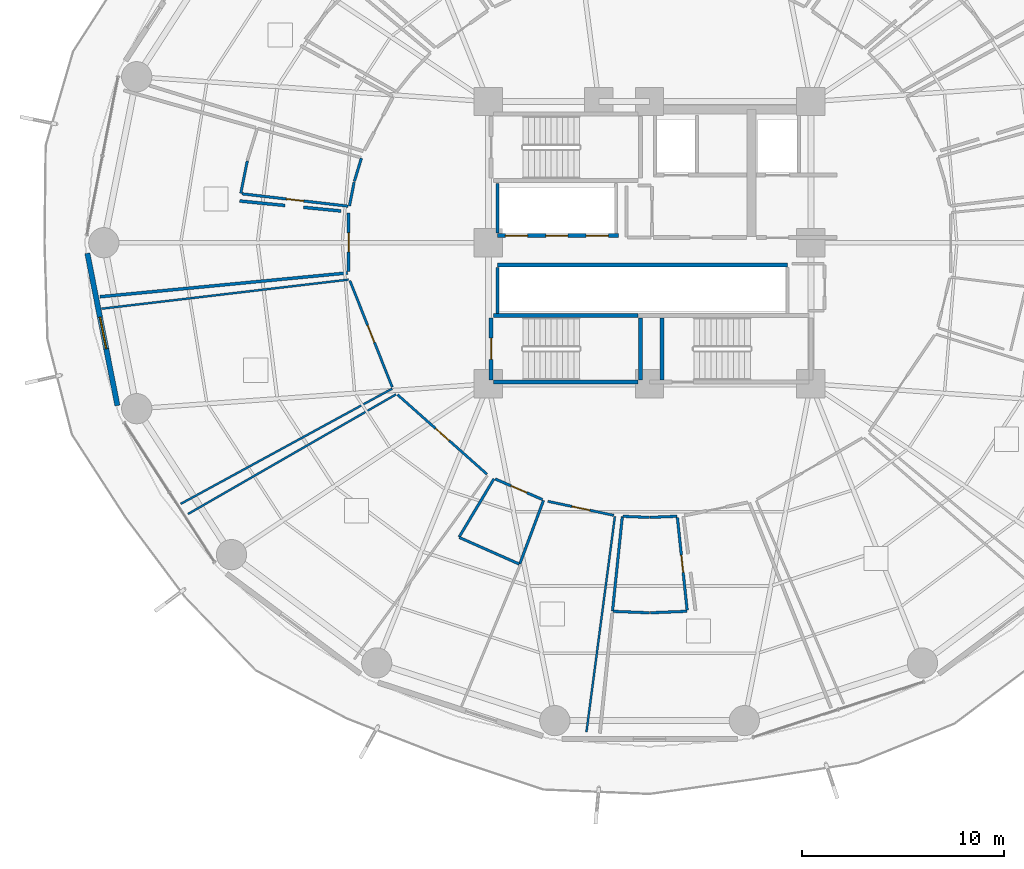
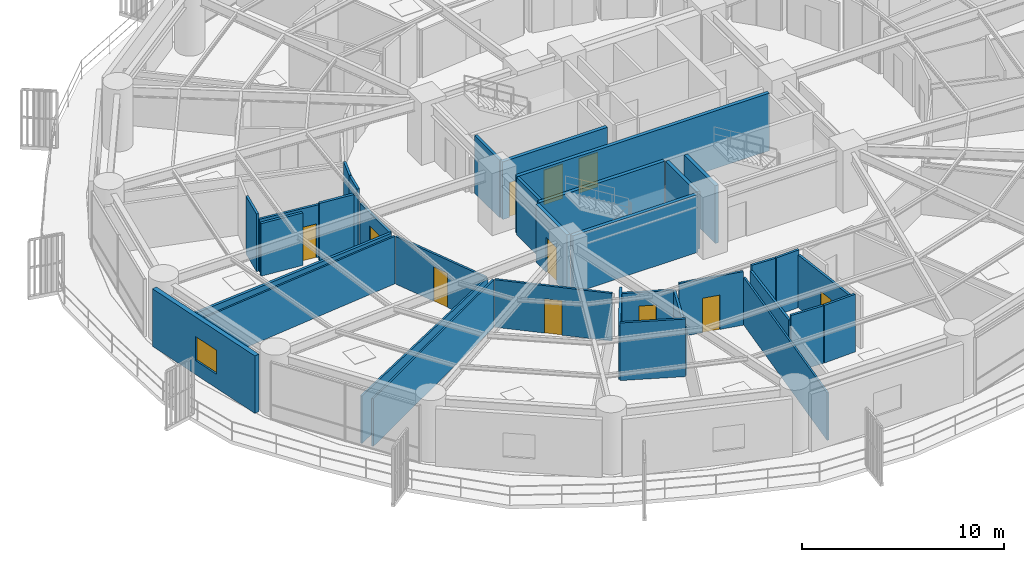
# One storey, part 22 of 32: 35 walls, 11 doors, 1 window, 12 openings.
"""IFC4 building model written with IfcOpenShell, lengths in metres."""

from ifc_helpers import new_model, si_unit, direction, frame, frame_2d, origin, place, context, subcontext, project, spatial, rectangle, extrude, material, layer, layer_set, type_object, element, fill, save


model = new_model("IFC4")

# Units and contexts
model_context = context("Model", 3, precision=1e-05, world=origin(), true_north=direction((0.0, 1.0)))
body_context = subcontext(model_context, "Body", "Model", "MODEL_VIEW")
ifc_project = project(units=[si_unit("LENGTHUNIT", "METRE"), si_unit("AREAUNIT", "SQUARE_METRE"), si_unit("VOLUMEUNIT", "CUBIC_METRE"), si_unit("PLANEANGLEUNIT", "RADIAN"), si_unit("MASSUNIT", "GRAM", prefix="KILO")], contexts=[model_context])

# Site, building, storey
site_placement = place(None, origin())
site = spatial("IfcSite", under=ifc_project, at=site_placement, CompositionType="ELEMENT")
building_placement = place(site_placement, origin())
building = spatial("IfcBuilding", under=site, at=building_placement, Name="Kelanora Arch Commons", CompositionType="ELEMENT")
storey_placement = place(building_placement, frame((0.0, 0.0, 48.75)))
storey = spatial("IfcBuildingStorey", under=building, at=storey_placement, Name="L12", CompositionType="ELEMENT", Elevation=48.75)

# Walls
ifc_material_1 = material(Name="Autoclaved aerated concrete blockwork with fire plaster", Category="masonry")
ifc_layer_1 = layer(ifc_material_1, 0.14990234375)
ifc_layer_set_1 = layer_set([ifc_layer_1], Name="Autoclaved aerated concrete blockwork with fire plaster")
wall_type_1 = type_object("IfcWallType", Name="W-COMP-150", PredefinedType="PARTITIONING", material=ifc_layer_set_1)
wall_1_placement = place(storey_placement, frame((66.4599609375, 58.47998046875, 0.0), z_axis=(0.0, 0.0, 1.0), x_axis=(0.0, 1.0, 0.0)))
element("IfcWall", 1, at=wall_1_placement, inside=storey, type_object=wall_type_1, Name="Low-Rise Lift Bank West Wall L12", PredefinedType="PARTITIONING", context=body_context, shape_type="SweptSolid", body=[
    extrude(rectangle(XDim=2.4599609375, YDim=0.14990234375, at=frame_2d((1.22998046875, 0.0))), origin(), (0.0, 0.0, 1.0), 3.47998046875),
])
wall_2_placement = place(storey_placement, frame((66.4599609375, 54.47998046875, 0.0), z_axis=(0.0, 0.0, 1.0), x_axis=(0.0, 1.0, 0.0)))
element("IfcWall", 2, at=wall_2_placement, inside=storey, type_object=wall_type_1, Name="South Lift Bank West Wall L12", PredefinedType="PARTITIONING", context=body_context, shape_type="SweptSolid", body=[
    extrude(rectangle(XDim=2.2900390625, YDim=0.14990234375, at=frame_2d((1.14501953125, 0.0))), origin(), (0.0, 0.0, 1.0), 3.47998046875),
])

# Wall, opening, door
wall_3_placement = place(storey_placement, frame((59.06591796875, 59.47509765625, 0.0), z_axis=(0.0, 0.0, 1.0), x_axis=(-0.001677287141, -0.999998593353, 0.0)))
wall_3 = element("IfcWall", 3, at=wall_3_placement, inside=storey, type_object=wall_type_1, Name="Co-Living Studio L12-07 Entry Partition", PredefinedType="PARTITIONING", context=body_context, shape_type="SweptSolid", body=[
    extrude(rectangle(XDim=2.9111328125, YDim=0.14990234375, at=frame_2d((1.45556640625, 0.0))), origin(), (0.0, 0.0, 1.0), 2.875),
])
opening_1_placement = place(wall_3_placement, frame((0.98095703125, 0.0, 0.0)))
opening_1 = element("IfcOpeningElement", 4, at=opening_1_placement, cuts=wall_3, Name="Opening D-CLU1", PredefinedType="OPENING", context=body_context, shape_type="SweptSolid", body=[
    extrude(rectangle(XDim=0.949951171875, YDim=2.080078125, at=frame_2d((0.47509765625, 1.0400390625))), frame((0.0, 0.0849609375, 0.0), z_axis=(0.0, -1.0, 0.0), x_axis=(1.0, 0.0, 0.0)), (0.0, 0.0, 1.0), 0.169921875),
])
ifc_material_2 = material(Name="Solid-core acoustic timber cluster entry fire door", Category="wood")
door_type_1 = type_object("IfcDoorType", Name="D-CLU-95", OperationType="NOTDEFINED", PredefinedType="DOOR", material=ifc_material_2)
door_1_placement = place(opening_1_placement, origin())
door_1 = element("IfcDoor", 5, at=door_1_placement, inside=storey, type_object=door_type_1, Name="Co-Living Studio L12-07 Door", OperationType="SINGLE_SWING_RIGHT", OverallHeight=2.080078125, OverallWidth=0.949951171875, PredefinedType="DOOR", context=body_context, shape_type="SweptSolid", body=[
    extrude(rectangle(XDim=0.949951171875, YDim=2.080078125, at=frame_2d((0.47509765625, 1.0400390625))), frame((0.0, 0.02490234375, 0.0), z_axis=(0.0, -1.0, 0.0), x_axis=(1.0, 0.0, 0.0)), (0.0, 0.0, 1.0), 0.050048828125),
])
fill(opening_1, door_1)

# Walls
wall_4_placement = place(storey_placement, frame((59.021240234375, 56.500244140625, 0.0), z_axis=(0.0, 0.0, 1.0), x_axis=(-0.995408087514, -0.095722198638, 0.0)))
element("IfcWall", 6, at=wall_4_placement, inside=storey, type_object=wall_type_1, Name="Co-Living Studio L12-07 Enclosure Partition 2", PredefinedType="PARTITIONING", context=body_context, shape_type="SweptSolid", body=[
    extrude(rectangle(XDim=12.35205078125, YDim=0.14990234375, at=frame_2d((6.176025390625, 0.0))), origin(), (0.0, 0.0, 1.0), 2.875),
])
wall_5_placement = place(storey_placement, frame((53.661865234375, 60.069091796875, 0.0), z_axis=(0.0, 0.0, 1.0), x_axis=(0.995156134458, -0.098307009162, 0.0)))
element("IfcWall", 7, at=wall_5_placement, inside=storey, type_object=wall_type_1, Name="Co-Living Studio L12-07 Enclosure Partition 7", PredefinedType="PARTITIONING", context=body_context, shape_type="SweptSolid", body=[
    extrude(rectangle(XDim=2.262451171875, YDim=0.14990234375, at=frame_2d((1.13134765625, 0.0))), origin(), (0.0, 0.0, 1.0), 3.175048828125),
])
wall_6_placement = place(storey_placement, frame((56.828857421875, 59.756103515625, 0.0), z_axis=(0.0, 0.0, 1.0), x_axis=(0.995148801126, -0.098381215772, 0.0)))
element("IfcWall", 8, at=wall_6_placement, inside=storey, type_object=wall_type_1, Name="Co-Living Studio L12-07 Enclosure Partition 7", PredefinedType="PARTITIONING", context=body_context, shape_type="SweptSolid", body=[
    extrude(rectangle(XDim=1.87353515625, YDim=0.14990234375, at=frame_2d((0.936767578125, 0.0))), origin(), (0.0, 0.0, 1.0), 3.47998046875),
])

# Wall, opening, window
ifc_material_3 = material(Name="Precast concrete C40/50 with terracotta rainscreen", Category="masonry")
ifc_layer_2 = layer(ifc_material_3, 0.260009765625)
ifc_layer_set_2 = layer_set([ifc_layer_2], Name="Precast concrete C40/50 with terracotta rainscreen")
wall_type_2 = type_object("IfcWallType", Name="W-EXT-TC", PredefinedType="SOLIDWALL", material=ifc_layer_set_2)
wall_7_placement = place(storey_placement, frame((46.103515625, 57.4765625, 0.0), z_axis=(0.0, 0.0, 1.0), x_axis=(0.193726159581, -0.98105564322, 0.0)))
wall_7 = element("IfcWall", 9, at=wall_7_placement, inside=storey, type_object=wall_type_2, Name="Terracotta Exterior Wall L12-B09", PredefinedType="SOLIDWALL", context=body_context, shape_type="SweptSolid", body=[
    extrude(rectangle(XDim=7.70263671875, YDim=0.260009765625, at=frame_2d((3.851318359375, 0.0))), origin(), (0.0, 0.0, 1.0), 3.47509765625),
])
opening_2_placement = place(wall_7_placement, frame((3.23095703125, 0.0, 0.85009765625)))
opening_2 = element("IfcOpeningElement", 10, at=opening_2_placement, cuts=wall_7, Name="Opening WN-01", PredefinedType="OPENING", context=body_context, shape_type="SweptSolid", body=[
    extrude(rectangle(XDim=1.60009765625, YDim=1.449951171875, at=frame_2d((0.800048828125, 0.72509765625))), frame((0.0, 0.14013671875, 0.0), z_axis=(0.0, -1.0, 0.0), x_axis=(1.0, 0.0, 0.0)), (0.0, 0.0, 1.0), 0.280029296875),
])
ifc_material_4 = material(Name="Terracotta-anodised aluminium frame with operable low-E glazing", Category="masonry")
window_type = type_object("IfcWindowType", Name="WIN-CL-18", PartitioningType="DOUBLE_PANEL_VERTICAL", PredefinedType="WINDOW", material=ifc_material_4)
window_placement = place(opening_2_placement, origin())
window = element("IfcWindow", 11, at=window_placement, inside=storey, type_object=window_type, Name="Co-Living Operable Window L12-B09", OverallHeight=1.449951171875, OverallWidth=1.60009765625, PartitioningType="SINGLE_PANEL", PredefinedType="WINDOW", context=body_context, shape_type="SweptSolid", body=[
    extrude(rectangle(XDim=1.60009765625, YDim=1.449951171875, at=frame_2d((0.800048828125, 0.72509765625))), frame((0.0, 0.030029296875, 0.0), z_axis=(0.0, -1.0, 0.0), x_axis=(1.0, 0.0, 0.0)), (0.0, 0.0, 1.0), 0.06005859375),
])
fill(opening_2, window)

# Wall, openings, doors
ifc_material_5 = material(Name="Concrete C40/50", Category="concrete")
ifc_layer_3 = layer(ifc_material_5, 0.199951171875)
ifc_layer_set_3 = layer_set([ifc_layer_3], Name="Concrete C40/50")
wall_type_3 = type_object("IfcWallType", Name="W-FFL-200", PredefinedType="SOLIDWALL", material=ifc_layer_set_3)
wall_8_placement = place(storey_placement, frame((66.449951171875, 58.35009765625, 0.0), z_axis=(0.0, 0.0, 1.0), x_axis=(1.0, 0.0, 0.0)))
wall_8 = element("IfcWall", 12, at=wall_8_placement, inside=storey, type_object=wall_type_3, Name="Low-Rise Passenger Lift Shaft Front L12", PredefinedType="SOLIDWALL", context=body_context, shape_type="SweptSolid", body=[
    extrude(rectangle(XDim=6.0, YDim=0.199951171875, at=frame_2d((3.0, 0.0))), origin(), (0.0, 0.0, 1.0), 3.47998046875),
])
opening_3_placement = place(wall_8_placement, frame((0.39990234375, 0.0, 0.0)))
opening_3 = element("IfcOpeningElement", 13, at=opening_3_placement, cuts=wall_8, Name="Opening LD-01", PredefinedType="OPENING", context=body_context, shape_type="SweptSolid", body=[
    extrude(rectangle(XDim=1.10009765625, YDim=2.10009765625, at=frame_2d((0.550048828125, 1.050048828125))), frame((0.0, 0.10986328125, 0.0), z_axis=(0.0, -1.0, 0.0), x_axis=(1.0, 0.0, 0.0)), (0.0, 0.0, 1.0), 0.219970703125),
])
opening_4_placement = place(wall_8_placement, frame((2.39990234375, 0.0, 0.0)))
opening_4 = element("IfcOpeningElement", 14, at=opening_4_placement, cuts=wall_8, Name="Opening LD-01", PredefinedType="OPENING", context=body_context, shape_type="SweptSolid", body=[
    extrude(rectangle(XDim=1.10009765625, YDim=2.10009765625, at=frame_2d((0.550048828125, 1.050048828125))), frame((0.0, 0.10986328125, 0.0), z_axis=(0.0, -1.0, 0.0), x_axis=(1.0, 0.0, 0.0)), (0.0, 0.0, 1.0), 0.219970703125),
])
opening_5_placement = place(wall_8_placement, frame((4.39990234375, 0.0, 0.0)))
opening_5 = element("IfcOpeningElement", 15, at=opening_5_placement, cuts=wall_8, Name="Opening LD-01", PredefinedType="OPENING", context=body_context, shape_type="SweptSolid", body=[
    extrude(rectangle(XDim=1.10009765625, YDim=2.10009765625, at=frame_2d((0.550048828125, 1.050048828125))), frame((0.0, 0.10986328125, 0.0), z_axis=(0.0, -1.0, 0.0), x_axis=(1.0, 0.0, 0.0)), (0.0, 0.0, 1.0), 0.219970703125),
])
ifc_material_6 = material(Name="Stainless steel passenger lift sliding landing door", Category="steel")
door_type_2 = type_object("IfcDoorType", Name="D-LIFT-110", OperationType="NOTDEFINED", PredefinedType="DOOR", material=ifc_material_6)
door_2_placement = place(opening_3_placement, origin())
door_2 = element("IfcDoor", 16, at=door_2_placement, inside=storey, type_object=door_type_2, Name="Passenger Lift LF-P1 Landing Door L12", OperationType="DOUBLE_DOOR_SLIDING", OverallHeight=2.10009765625, OverallWidth=1.10009765625, PredefinedType="DOOR", context=body_context, shape_type="SweptSolid", body=[
    extrude(rectangle(XDim=1.10009765625, YDim=2.10009765625, at=frame_2d((0.550048828125, 1.050048828125))), frame((0.0, 0.02490234375, 0.0), z_axis=(0.0, -1.0, 0.0), x_axis=(1.0, 0.0, 0.0)), (0.0, 0.0, 1.0), 0.050048828125),
])
fill(opening_3, door_2)
door_3_placement = place(opening_4_placement, origin())
door_3 = element("IfcDoor", 17, at=door_3_placement, inside=storey, type_object=door_type_2, Name="Passenger Lift LF-P2 Landing Door L12", OperationType="DOUBLE_DOOR_SLIDING", OverallHeight=2.10009765625, OverallWidth=1.10009765625, PredefinedType="DOOR", context=body_context, shape_type="SweptSolid", body=[
    extrude(rectangle(XDim=1.10009765625, YDim=2.10009765625, at=frame_2d((0.550048828125, 1.050048828125))), frame((0.0, 0.02490234375, 0.0), z_axis=(0.0, -1.0, 0.0), x_axis=(1.0, 0.0, 0.0)), (0.0, 0.0, 1.0), 0.050048828125),
])
fill(opening_4, door_3)
door_4_placement = place(opening_5_placement, origin())
door_4 = element("IfcDoor", 18, at=door_4_placement, inside=storey, type_object=door_type_2, Name="Passenger Lift LF-P3 Landing Door L12", OperationType="DOUBLE_DOOR_SLIDING", OverallHeight=2.10009765625, OverallWidth=1.10009765625, PredefinedType="DOOR", context=body_context, shape_type="SweptSolid", body=[
    extrude(rectangle(XDim=1.10009765625, YDim=2.10009765625, at=frame_2d((0.550048828125, 1.050048828125))), frame((0.0, 0.02490234375, 0.0), z_axis=(0.0, -1.0, 0.0), x_axis=(1.0, 0.0, 0.0)), (0.0, 0.0, 1.0), 0.050048828125),
])
fill(opening_5, door_4)

# Walls
wall_9_placement = place(storey_placement, frame((66.449951171875, 56.89990234375, 0.0), z_axis=(0.0, 0.0, 1.0), x_axis=(1.0, 0.0, 0.0)))
element("IfcWall", 19, at=wall_9_placement, inside=storey, type_object=wall_type_3, Name="Mid/High/Express Lift Shaft Front L12", PredefinedType="SOLIDWALL", context=body_context, shape_type="SweptSolid", body=[
    extrude(rectangle(XDim=14.400146484375, YDim=0.199951171875, at=frame_2d((7.2001953125, 0.0))), origin(), (0.0, 0.0, 1.0), 3.47998046875),
])
ifc_material_7 = material(Name="Lightweight fire-rated acoustic stud partition")
ifc_layer_4 = layer(ifc_material_7, 0.10009765625)
ifc_layer_set_4 = layer_set([ifc_layer_4], Name="Lightweight fire-rated acoustic stud partition")
wall_type_4 = type_object("IfcWallType", Name="W-PART-100", PredefinedType="PARTITIONING", material=ifc_layer_set_4)
wall_10_placement = place(storey_placement, frame((61.220947265625, 50.7548828125, 0.0), z_axis=(0.0, 0.0, 1.0), x_axis=(-0.878114235828, -0.478451030761, 0.0)))
element("IfcWall", 20, at=wall_10_placement, inside=storey, type_object=wall_type_4, Name="Quiet Seminar Study Room L12-08 Enclosure Partition 2", PredefinedType="PARTITIONING", context=body_context, shape_type="SweptSolid", body=[
    extrude(rectangle(XDim=11.9423828125, YDim=0.10009765625, at=frame_2d((5.97119140625, 0.0))), origin(), (0.0, 0.0, 1.0), 2.875),
])
wall_11_placement = place(storey_placement, frame((46.8076171875, 54.724609375, 0.0), z_axis=(0.0, 0.0, 1.0), x_axis=(0.993128309916, 0.117030594475, 0.0)))
element("IfcWall", 21, at=wall_11_placement, inside=storey, type_object=wall_type_4, Name="Quiet Seminar Study Room L12-08 Enclosure Partition 4", PredefinedType="PARTITIONING", context=body_context, shape_type="SweptSolid", body=[
    extrude(rectangle(XDim=12.343505859375, YDim=0.10009765625, at=frame_2d((6.171875, 0.0))), origin(), (0.0, 0.0, 1.0), 2.875),
])
wall_12_placement = place(storey_placement, frame((51.0966796875, 44.538818359375, 0.0), z_axis=(0.0, 0.0, 1.0), x_axis=(0.866911397605, 0.498462264071, 0.0)))
element("IfcWall", 22, at=wall_12_placement, inside=storey, type_object=wall_type_4, Name="Social Sky Lounge L12-09 Enclosure Partition 4", PredefinedType="PARTITIONING", context=body_context, shape_type="SweptSolid", body=[
    extrude(rectangle(XDim=11.9072265625, YDim=0.10009765625, at=frame_2d((5.95361328125, 0.0))), origin(), (0.0, 0.0, 1.0), 2.875),
])
wall_13_placement = place(storey_placement, frame((72.27880859375, 44.419189453125, 0.0), z_axis=(0.0, 0.0, 1.0), x_axis=(-0.130800348515, -0.991408729449, 0.0)))
element("IfcWall", 23, at=wall_13_placement, inside=storey, type_object=wall_type_4, Name="Tutorial Study Alcove L12-10 Enclosure Partition 2", PredefinedType="PARTITIONING", context=body_context, shape_type="SweptSolid", body=[
    extrude(rectangle(XDim=10.792236328125, YDim=0.10009765625, at=frame_2d((5.39599609375, 0.0))), origin(), (0.0, 0.0, 1.0), 2.875),
])

# Wall, opening, door
ifc_material_8 = material(Name="Acoustic twin-stud fire-rated gypsum partition")
ifc_layer_5 = layer(ifc_material_8, 0.1201171875)
ifc_layer_set_5 = layer_set([ifc_layer_5], Name="Acoustic twin-stud fire-rated gypsum partition")
wall_type_5 = type_object("IfcWallType", Name="W-PART-120", PredefinedType="PARTITIONING", material=ifc_layer_set_5)
wall_14_placement = place(storey_placement, frame((59.128173828125, 56.118408203125, 0.0), z_axis=(0.0, 0.0, 1.0), x_axis=(0.369903929858, -0.929070009566, 0.0)))
wall_14 = element("IfcWall", 24, at=wall_14_placement, inside=storey, type_object=wall_type_5, Name="Quiet Seminar Study Room L12-08 Entry Partition", PredefinedType="PARTITIONING", context=body_context, shape_type="SweptSolid", body=[
    extrude(rectangle(XDim=5.692626953125, YDim=0.1201171875, at=frame_2d((2.84619140625, 0.0))), origin(), (0.0, 0.0, 1.0), 2.875),
])
opening_6_placement = place(wall_14_placement, frame((2.39599609375, 0.0, 0.0)))
opening_6 = element("IfcOpeningElement", 25, at=opening_6_placement, cuts=wall_14, Name="Opening D-RM1", PredefinedType="OPENING", context=body_context, shape_type="SweptSolid", body=[
    extrude(rectangle(XDim=0.89990234375, YDim=2.080078125, at=frame_2d((0.449951171875, 1.0400390625))), frame((0.0, 0.070068359375, 0.0), z_axis=(0.0, -1.0, 0.0), x_axis=(1.0, 0.0, 0.0)), (0.0, 0.0, 1.0), 0.14013671875),
])
ifc_material_9 = material(Name="Acoustic fire-rated timber study and lounge door", Category="wood")
door_type_3 = type_object("IfcDoorType", Name="D-ROOM-90", OperationType="NOTDEFINED", PredefinedType="DOOR", material=ifc_material_9)
door_5_placement = place(opening_6_placement, origin())
door_5 = element("IfcDoor", 26, at=door_5_placement, inside=storey, type_object=door_type_3, Name="Quiet Seminar Study Room L12-08 Door", OperationType="SINGLE_SWING_LEFT", OverallHeight=2.080078125, OverallWidth=0.89990234375, PredefinedType="DOOR", context=body_context, shape_type="SweptSolid", body=[
    extrude(rectangle(XDim=0.89990234375, YDim=2.080078125, at=frame_2d((0.449951171875, 1.0400390625))), frame((0.0, 0.02490234375, 0.0), z_axis=(0.0, -1.0, 0.0), x_axis=(1.0, 0.0, 0.0)), (0.0, 0.0, 1.0), 0.050048828125),
])
fill(opening_6, door_5)

wall_15_placement = place(storey_placement, frame((61.498779296875, 50.4541015625, 0.0), z_axis=(0.0, 0.0, 1.0), x_axis=(0.747393415848, -0.664381729089, 0.0)))
wall_15 = element("IfcWall", 27, at=wall_15_placement, inside=storey, type_object=wall_type_5, Name="Social Sky Lounge L12-09 Entry Partition", PredefinedType="PARTITIONING", context=body_context, shape_type="SweptSolid", body=[
    extrude(rectangle(XDim=5.92919921875, YDim=0.1201171875, at=frame_2d((2.964599609375, 0.0))), origin(), (0.0, 0.0, 1.0), 2.875),
])
opening_7_placement = place(wall_15_placement, frame((2.514892578125, 0.0, 0.0)))
opening_7 = element("IfcOpeningElement", 28, at=opening_7_placement, cuts=wall_15, Name="Opening D-RM1", PredefinedType="OPENING", context=body_context, shape_type="SweptSolid", body=[
    extrude(rectangle(XDim=0.89990234375, YDim=2.080078125, at=frame_2d((0.449951171875, 1.0400390625))), frame((0.0, 0.070068359375, 0.0), z_axis=(0.0, -1.0, 0.0), x_axis=(1.0, 0.0, 0.0)), (0.0, 0.0, 1.0), 0.14013671875),
])
door_6_placement = place(opening_7_placement, origin())
door_6 = element("IfcDoor", 29, at=door_6_placement, inside=storey, type_object=door_type_3, Name="Social Sky Lounge L12-09 Door", OperationType="SINGLE_SWING_RIGHT", OverallHeight=2.080078125, OverallWidth=0.89990234375, PredefinedType="DOOR", context=body_context, shape_type="SweptSolid", body=[
    extrude(rectangle(XDim=0.89990234375, YDim=2.080078125, at=frame_2d((0.449951171875, 1.0400390625))), frame((0.0, 0.02490234375, 0.0), z_axis=(0.0, -1.0, 0.0), x_axis=(1.0, 0.0, 0.0)), (0.0, 0.0, 1.0), 0.050048828125),
])
fill(opening_7, door_6)

wall_16_placement = place(storey_placement, frame((68.94970703125, 45.16943359375, 0.0), z_axis=(0.0, 0.0, 1.0), x_axis=(0.978041794992, -0.20840884638, 0.0)))
wall_16 = element("IfcWall", 30, at=wall_16_placement, inside=storey, type_object=wall_type_5, Name="Tutorial Study Alcove L12-10 Entry Partition", PredefinedType="PARTITIONING", context=body_context, shape_type="SweptSolid", body=[
    extrude(rectangle(XDim=3.34912109375, YDim=0.1201171875, at=frame_2d((1.674560546875, 0.0))), origin(), (0.0, 0.0, 1.0), 3.235107421875),
])
opening_8_placement = place(wall_16_placement, frame((1.22509765625, 0.0, 0.0)))
opening_8 = element("IfcOpeningElement", 31, at=opening_8_placement, cuts=wall_16, Name="Opening D-RM1", PredefinedType="OPENING", context=body_context, shape_type="SweptSolid", body=[
    extrude(rectangle(XDim=0.89990234375, YDim=2.080078125, at=frame_2d((0.449951171875, 1.0400390625))), frame((0.0, 0.070068359375, 0.0), z_axis=(0.0, -1.0, 0.0), x_axis=(1.0, 0.0, 0.0)), (0.0, 0.0, 1.0), 0.14013671875),
])
door_7_placement = place(opening_8_placement, origin())
door_7 = element("IfcDoor", 32, at=door_7_placement, inside=storey, type_object=door_type_3, Name="Tutorial Study Alcove L12-10 Door", OperationType="SINGLE_SWING_RIGHT", OverallHeight=2.080078125, OverallWidth=0.89990234375, PredefinedType="DOOR", context=body_context, shape_type="SweptSolid", body=[
    extrude(rectangle(XDim=0.89990234375, YDim=2.080078125, at=frame_2d((0.449951171875, 1.0400390625))), frame((0.0, 0.02490234375, 0.0), z_axis=(0.0, -1.0, 0.0), x_axis=(1.0, 0.0, 0.0)), (0.0, 0.0, 1.0), 0.050048828125),
])
fill(opening_8, door_7)

# Walls
ifc_layer_6 = layer(ifc_material_5, 0.199951171875)
ifc_layer_set_6 = layer_set([ifc_layer_6], Name="Concrete C40/50")
wall_type_6 = type_object("IfcWallType", Name="W-STAIR-200", PredefinedType="SHEAR", material=ifc_layer_set_6)
wall_17_placement = place(storey_placement, frame((74.6201171875, 54.27001953125, 0.0), z_axis=(0.0, 0.0, 1.0), x_axis=(0.0, -1.0, 0.0)))
element("IfcWall", 33, at=wall_17_placement, inside=storey, type_object=wall_type_6, Name="Stair ST-T2 Shaft Wall W L12", PredefinedType="SHEAR", context=body_context, shape_type="SweptSolid", body=[
    extrude(rectangle(XDim=3.070068359375, YDim=0.199951171875, at=frame_2d((1.53515625, 0.0))), origin(), (0.0, 0.0, 1.0), 3.489990234375),
])
wall_18_placement = place(storey_placement, frame((66.260009765625, 51.080078125, 0.0), z_axis=(0.0, 0.0, 1.0), x_axis=(1.0, 0.0, 0.0)))
element("IfcWall", 34, at=wall_18_placement, inside=storey, type_object=wall_type_6, Name="Stair ST-T3 Shaft Wall S L12", PredefinedType="SHEAR", context=body_context, shape_type="SweptSolid", body=[
    extrude(rectangle(XDim=7.159912109375, YDim=0.199951171875, at=frame_2d((3.580078125, 0.0))), origin(), (0.0, 0.0, 1.0), 3.489990234375),
])
wall_19_placement = place(storey_placement, frame((73.5400390625, 51.199951171875, 0.0), z_axis=(0.0, 0.0, 1.0), x_axis=(0.0, 1.0, 0.0)))
element("IfcWall", 35, at=wall_19_placement, inside=storey, type_object=wall_type_6, Name="Stair ST-T3 Shaft Wall E L12", PredefinedType="SHEAR", context=body_context, shape_type="SweptSolid", body=[
    extrude(rectangle(XDim=3.070068359375, YDim=0.199951171875, at=frame_2d((1.53515625, 0.0))), origin(), (0.0, 0.0, 1.0), 3.489990234375),
])
wall_20_placement = place(storey_placement, frame((73.419921875, 54.389892578125, 0.0), z_axis=(0.0, 0.0, 1.0), x_axis=(-1.0, 0.0, 0.0)))
element("IfcWall", 36, at=wall_20_placement, inside=storey, type_object=wall_type_6, Name="Stair ST-T3 Shaft Wall N L12", PredefinedType="SHEAR", context=body_context, shape_type="SweptSolid", body=[
    extrude(rectangle(XDim=7.159912109375, YDim=0.199951171875, at=frame_2d((3.580078125, 0.0))), origin(), (0.0, 0.0, 1.0), 3.489990234375),
])

# Wall, opening, door
wall_21_placement = place(storey_placement, frame((66.139892578125, 54.27001953125, 0.0), z_axis=(0.0, 0.0, 1.0), x_axis=(0.0, -1.0, 0.0)))
wall_21 = element("IfcWall", 37, at=wall_21_placement, inside=storey, type_object=wall_type_6, Name="Stair ST-T3 Shaft Wall W L12", PredefinedType="SHEAR", context=body_context, shape_type="SweptSolid", body=[
    extrude(rectangle(XDim=3.070068359375, YDim=0.199951171875, at=frame_2d((1.53515625, 0.0))), origin(), (0.0, 0.0, 1.0), 3.489990234375),
])
opening_9_placement = place(wall_21_placement, frame((1.010009765625, 0.0, 0.0)))
opening_9 = element("IfcOpeningElement", 38, at=opening_9_placement, cuts=wall_21, Name="Opening D-ST1", PredefinedType="OPENING", context=body_context, shape_type="SweptSolid", body=[
    extrude(rectangle(XDim=1.050048828125, YDim=2.10009765625, at=frame_2d((0.52490234375, 1.050048828125))), frame((0.0, 0.10986328125, 0.0), z_axis=(0.0, -1.0, 0.0), x_axis=(1.0, 0.0, 0.0)), (0.0, 0.0, 1.0), 0.219970703125),
])
ifc_material_10 = material(Name="Steel fire-rated stairwell escape door", Category="steel")
door_type_4 = type_object("IfcDoorType", Name="D-STAIR-110", OperationType="NOTDEFINED", PredefinedType="DOOR", material=ifc_material_10)
door_8_placement = place(opening_9_placement, origin())
door_8 = element("IfcDoor", 39, at=door_8_placement, inside=storey, type_object=door_type_4, Name="Stair ST-T3 Escape Door L12", OperationType="SINGLE_SWING_LEFT", OverallHeight=2.10009765625, OverallWidth=1.050048828125, PredefinedType="DOOR", context=body_context, shape_type="SweptSolid", body=[
    extrude(rectangle(XDim=1.050048828125, YDim=2.10009765625, at=frame_2d((0.52490234375, 1.050048828125))), frame((0.0, 0.02490234375, 0.0), z_axis=(0.0, -1.0, 0.0), x_axis=(1.0, 0.0, 0.0)), (0.0, 0.0, 1.0), 0.050048828125),
])
fill(opening_9, door_8)

ifc_material_11 = material(Name="Moisture-resistant fire-rated cement-board plumbing wall")
ifc_layer_7 = layer(ifc_material_11, 0.1298828125)
ifc_layer_set_7 = layer_set([ifc_layer_7], Name="Moisture-resistant fire-rated cement-board plumbing wall")
wall_type_7 = type_object("IfcWallType", Name="W-WET-120", PredefinedType="PLUMBINGWALL", material=ifc_layer_set_7)
wall_22_placement = place(storey_placement, frame((59.04345703125, 59.81298828125, 0.0), z_axis=(0.0, 0.0, 1.0), x_axis=(-0.99328280677, 0.115711994952, 0.0)))
wall_22 = element("IfcWall", 40, at=wall_22_placement, inside=storey, type_object=wall_type_7, Name="En-Suite Shower WC L12-07 Entry Partition", PredefinedType="PLUMBINGWALL", context=body_context, shape_type="SweptSolid", body=[
    extrude(rectangle(XDim=5.306396484375, YDim=0.1298828125, at=frame_2d((2.6533203125, 0.0))), origin(), (0.0, 0.0, 1.0), 3.175048828125),
])
opening_10_placement = place(wall_22_placement, frame((2.222900390625, 0.0, 0.0)))
opening_10 = element("IfcOpeningElement", 41, at=opening_10_placement, cuts=wall_22, Name="Opening D-BT1", PredefinedType="OPENING", context=body_context, shape_type="SweptSolid", body=[
    extrude(rectangle(XDim=0.860107421875, YDim=2.050048828125, at=frame_2d((0.43017578125, 1.02490234375))), frame((0.0, 0.074951171875, 0.0), z_axis=(0.0, -1.0, 0.0), x_axis=(1.0, 0.0, 0.0)), (0.0, 0.0, 1.0), 0.14990234375),
])
ifc_material_12 = material(Name="Moisture-sealed fire-rated accessible bathroom door")
door_type_5 = type_object("IfcDoorType", Name="D-BATH-85", OperationType="NOTDEFINED", PredefinedType="DOOR", material=ifc_material_12)
door_9_placement = place(opening_10_placement, origin())
door_9 = element("IfcDoor", 42, at=door_9_placement, inside=storey, type_object=door_type_5, Name="En-Suite Shower WC L12-07 Door", OperationType="SINGLE_SWING_LEFT", OverallHeight=2.050048828125, OverallWidth=0.860107421875, PredefinedType="DOOR", context=body_context, shape_type="SweptSolid", body=[
    extrude(rectangle(XDim=0.860107421875, YDim=2.050048828125, at=frame_2d((0.43017578125, 1.02490234375))), frame((0.0, 0.02490234375, 0.0), z_axis=(0.0, -1.0, 0.0), x_axis=(1.0, 0.0, 0.0)), (0.0, 0.0, 1.0), 0.050048828125),
])
fill(opening_10, door_9)

wall_23_placement = place(storey_placement, frame((66.343017578125, 46.277099609375, 0.0), z_axis=(0.0, 0.0, 1.0), x_axis=(0.916688793476, -0.399601871763, 0.0)))
wall_23 = element("IfcWall", 43, at=wall_23_placement, inside=storey, type_object=wall_type_7, Name="Accessible Shared Floor WC L12-10 Entry Partition", PredefinedType="PLUMBINGWALL", context=body_context, shape_type="SweptSolid", body=[
    extrude(rectangle(XDim=2.55810546875, YDim=0.1298828125, at=frame_2d((1.279052734375, 0.0))), origin(), (0.0, 0.0, 1.0), 2.875),
])
opening_11_placement = place(wall_23_placement, frame((0.84912109375, 0.0, 0.0)))
opening_11 = element("IfcOpeningElement", 44, at=opening_11_placement, cuts=wall_23, Name="Opening D-BT1", PredefinedType="OPENING", context=body_context, shape_type="SweptSolid", body=[
    extrude(rectangle(XDim=0.860107421875, YDim=2.050048828125, at=frame_2d((0.43017578125, 1.02490234375))), frame((0.0, 0.074951171875, 0.0), z_axis=(0.0, -1.0, 0.0), x_axis=(1.0, 0.0, 0.0)), (0.0, 0.0, 1.0), 0.14990234375),
])
door_10_placement = place(opening_11_placement, origin())
door_10 = element("IfcDoor", 45, at=door_10_placement, inside=storey, type_object=door_type_5, Name="Accessible Shared Floor WC L12-10 Door", OperationType="SINGLE_SWING_LEFT", OverallHeight=2.050048828125, OverallWidth=0.860107421875, PredefinedType="DOOR", context=body_context, shape_type="SweptSolid", body=[
    extrude(rectangle(XDim=0.860107421875, YDim=2.050048828125, at=frame_2d((0.43017578125, 1.02490234375))), frame((0.0, 0.02490234375, 0.0), z_axis=(0.0, -1.0, 0.0), x_axis=(1.0, 0.0, 0.0)), (0.0, 0.0, 1.0), 0.050048828125),
])
fill(opening_11, door_10)

wall_24_placement = place(storey_placement, frame((75.37939453125, 44.3671875, 0.0), z_axis=(0.0, 0.0, 1.0), x_axis=(0.104844331411, -0.994488645572, 0.0)))
wall_24 = element("IfcWall", 46, at=wall_24_placement, inside=storey, type_object=wall_type_7, Name="En-Suite Shower WC L12-11 Entry Partition", PredefinedType="PLUMBINGWALL", context=body_context, shape_type="SweptSolid", body=[
    extrude(rectangle(XDim=4.619873046875, YDim=0.1298828125, at=frame_2d((2.31005859375, 0.0))), origin(), (0.0, 0.0, 1.0), 3.175048828125),
])
opening_12_placement = place(wall_24_placement, frame((1.8798828125, 0.0, 0.0)))
opening_12 = element("IfcOpeningElement", 47, at=opening_12_placement, cuts=wall_24, Name="Opening D-BT1", PredefinedType="OPENING", context=body_context, shape_type="SweptSolid", body=[
    extrude(rectangle(XDim=0.860107421875, YDim=2.050048828125, at=frame_2d((0.43017578125, 1.02490234375))), frame((0.0, 0.074951171875, 0.0), z_axis=(0.0, -1.0, 0.0), x_axis=(1.0, 0.0, 0.0)), (0.0, 0.0, 1.0), 0.14990234375),
])
door_11_placement = place(opening_12_placement, origin())
door_11 = element("IfcDoor", 48, at=door_11_placement, inside=storey, type_object=door_type_5, Name="En-Suite Shower WC L12-11 Door", OperationType="SINGLE_SWING_LEFT", OverallHeight=2.050048828125, OverallWidth=0.860107421875, PredefinedType="DOOR", context=body_context, shape_type="SweptSolid", body=[
    extrude(rectangle(XDim=0.860107421875, YDim=2.050048828125, at=frame_2d((0.43017578125, 1.02490234375))), frame((0.0, 0.02490234375, 0.0), z_axis=(0.0, -1.0, 0.0), x_axis=(1.0, 0.0, 0.0)), (0.0, 0.0, 1.0), 0.050048828125),
])
fill(opening_12, door_11)

# Walls
wall_25_placement = place(storey_placement, frame((59.701171875, 62.19580078125, 0.0), z_axis=(0.0, 0.0, 1.0), x_axis=(-0.29128243511, -0.956637100993, 0.0)))
element("IfcWall", 49, at=wall_25_placement, inside=storey, type_object=wall_type_7, Name="En-Suite Shower WC L12-07 Enclosure Partition 1", PredefinedType="PLUMBINGWALL", context=body_context, shape_type="SweptSolid", body=[
    extrude(rectangle(XDim=1.2060546875, YDim=0.1298828125, at=frame_2d((0.60302734375, 0.0))), origin(), (0.0, 0.0, 1.0), 3.47998046875),
])
wall_26_placement = place(storey_placement, frame((59.340087890625, 61.00341796875, 0.0), z_axis=(0.0, 0.0, 1.0), x_axis=(-0.194199574792, -0.980962040627, 0.0)))
element("IfcWall", 50, at=wall_26_placement, inside=storey, type_object=wall_type_7, Name="En-Suite Shower WC L12-07 Enclosure Partition 2", PredefinedType="PLUMBINGWALL", context=body_context, shape_type="SweptSolid", body=[
    extrude(rectangle(XDim=1.20068359375, YDim=0.1298828125, at=frame_2d((0.600341796875, 0.0))), origin(), (0.0, 0.0, 1.0), 3.47998046875),
])
wall_27_placement = place(storey_placement, frame((53.716796875, 60.45361328125, 0.0), z_axis=(0.0, 0.0, 1.0), x_axis=(0.196892919049, 0.98042499888, 0.0)))
element("IfcWall", 51, at=wall_27_placement, inside=storey, type_object=wall_type_7, Name="En-Suite Shower WC L12-07 Enclosure Partition 4", PredefinedType="PLUMBINGWALL", context=body_context, shape_type="SweptSolid", body=[
    extrude(rectangle(XDim=1.6318359375, YDim=0.1298828125, at=frame_2d((0.81591796875, 0.0))), origin(), (0.0, 0.0, 1.0), 3.47998046875),
])
wall_28_placement = place(storey_placement, frame((68.736083984375, 45.21240234375, 0.0), z_axis=(0.0, 0.0, 1.0), x_axis=(-0.349729505813, -0.93685072064, 0.0)))
element("IfcWall", 52, at=wall_28_placement, inside=storey, type_object=wall_type_7, Name="Accessible Shared Floor WC L12-10 Enclosure Partition 2", PredefinedType="PLUMBINGWALL", context=body_context, shape_type="SweptSolid", body=[
    extrude(rectangle(XDim=3.35986328125, YDim=0.1298828125, at=frame_2d((1.679931640625, 0.0))), origin(), (0.0, 0.0, 1.0), 2.875),
])
wall_29_placement = place(storey_placement, frame((67.53564453125, 42.05419921875, 0.0), z_axis=(0.0, 0.0, 1.0), x_axis=(-0.913941429535, 0.405846108002, 0.0)))
element("IfcWall", 53, at=wall_29_placement, inside=storey, type_object=wall_type_7, Name="Accessible Shared Floor WC L12-10 Enclosure Partition 3", PredefinedType="PLUMBINGWALL", context=body_context, shape_type="SweptSolid", body=[
    extrude(rectangle(XDim=3.25439453125, YDim=0.1298828125, at=frame_2d((1.627197265625, 0.0))), origin(), (0.0, 0.0, 1.0), 3.47998046875),
])
wall_30_placement = place(storey_placement, frame((64.55322265625, 43.400146484375, 0.0), z_axis=(0.0, 0.0, 1.0), x_axis=(0.513234244366, 0.858248571458, 0.0)))
element("IfcWall", 54, at=wall_30_placement, inside=storey, type_object=wall_type_7, Name="Accessible Shared Floor WC L12-10 Enclosure Partition 4", PredefinedType="PLUMBINGWALL", context=body_context, shape_type="SweptSolid", body=[
    extrude(rectangle(XDim=3.35986328125, YDim=0.1298828125, at=frame_2d((1.679931640625, 0.0))), origin(), (0.0, 0.0, 1.0), 3.235107421875),
])
wall_31_placement = place(storey_placement, frame((72.6689453125, 44.42431640625, 0.0), z_axis=(0.0, 0.0, 1.0), x_axis=(0.999183175144, -0.040410178275, 0.0)))
element("IfcWall", 55, at=wall_31_placement, inside=storey, type_object=wall_type_7, Name="En-Suite Shower WC L12-11 Enclosure Partition 1", PredefinedType="PLUMBINGWALL", context=body_context, shape_type="SweptSolid", body=[
    extrude(rectangle(XDim=1.322998046875, YDim=0.1298828125, at=frame_2d((0.66162109375, 0.0))), origin(), (0.0, 0.0, 1.0), 3.47998046875),
])
wall_32_placement = place(storey_placement, frame((74.031005859375, 44.370849609375, 0.0), z_axis=(0.0, 0.0, 1.0), x_axis=(0.99912248842, 0.041883805147, 0.0)))
element("IfcWall", 56, at=wall_32_placement, inside=storey, type_object=wall_type_7, Name="En-Suite Shower WC L12-11 Enclosure Partition 2", PredefinedType="PLUMBINGWALL", context=body_context, shape_type="SweptSolid", body=[
    extrude(rectangle(XDim=1.3232421875, YDim=0.1298828125, at=frame_2d((0.66162109375, 0.0))), origin(), (0.0, 0.0, 1.0), 3.47998046875),
])
for number, where, z_axis, x_axis, name in (
    (57, (75.85009765625, 39.712158203125, 0.0), (0.0, 0.0, 1.0), (-0.999137492538, -0.041524342326, 0.0), "En-Suite Shower WC L12-11 Enclosure Partition 4"),
    (58, (73.9951171875, 39.63671875, 0.0), (0.0, 0.0, 1.0), (-0.999203104114, 0.039914367441, 0.0), "En-Suite Shower WC L12-11 Enclosure Partition 5"),
):
    element("IfcWall", number, at=place(storey_placement, frame(where, z_axis=z_axis, x_axis=x_axis)), inside=storey, type_object=wall_type_7, Name=name, PredefinedType="PLUMBINGWALL", context=body_context, shape_type="SweptSolid", body=[
        extrude(rectangle(XDim=1.816650390625, YDim=0.1298828125, at=frame_2d((0.908203125, 0.0))), origin(), (0.0, 0.0, 1.0), 3.47998046875),
    ])
wall_33_placement = place(storey_placement, frame((72.162109375, 39.72998046875, 0.0), z_axis=(0.0, 0.0, 1.0), x_axis=(0.103159659153, 0.994664810237, 0.0)))
element("IfcWall", 59, at=wall_33_placement, inside=storey, type_object=wall_type_7, Name="En-Suite Shower WC L12-11 Enclosure Partition 6", PredefinedType="PLUMBINGWALL", context=body_context, shape_type="SweptSolid", body=[
    extrude(rectangle(XDim=4.7001953125, YDim=0.1298828125, at=frame_2d((2.35009765625, 0.0))), origin(), (0.0, 0.0, 1.0), 3.175048828125),
])

save(model, "model.ifc")
